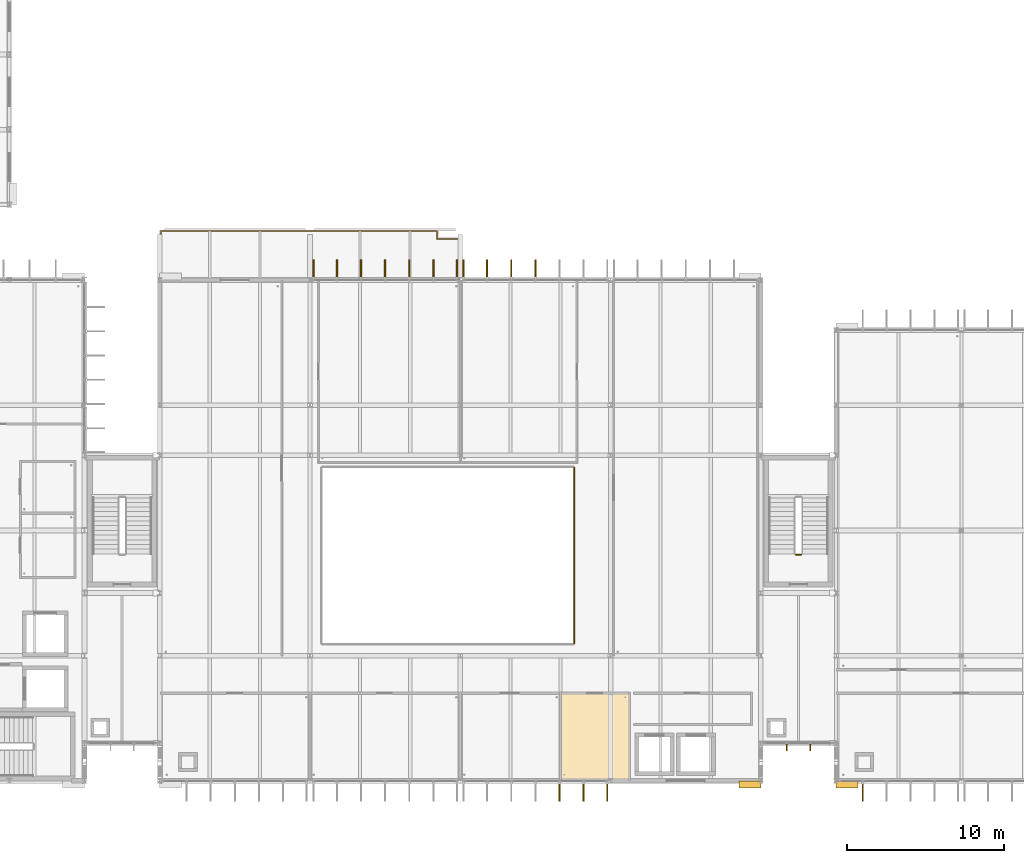
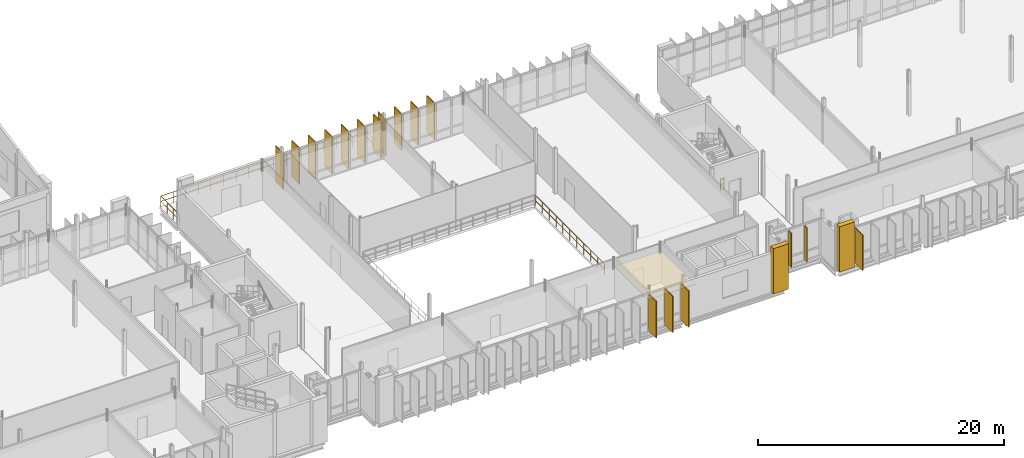
# One storey, part 88 of 93: 18 coverings, 3 railings, 2 shading devices.
"""IFC4 building model written with IfcOpenShell, lengths in metres."""

from ifc_helpers import new_model, si_unit, direction, frame, origin, origin_2d, place, context, subcontext, project, spatial, polyline, rectangle, circle, outline, extrude, material, layer, layer_set, type_object, element, save


model = new_model("IFC4")

# Units and contexts
model_context = context("Model", 3, precision=1e-05, world=origin(), true_north=direction((0.0, 1.0)))
body_context = subcontext(model_context, "Body", "Model", "MODEL_VIEW")
ifc_project = project(units=[si_unit("LENGTHUNIT", "METRE"), si_unit("AREAUNIT", "SQUARE_METRE"), si_unit("VOLUMEUNIT", "CUBIC_METRE"), si_unit("PLANEANGLEUNIT", "RADIAN"), si_unit("MASSUNIT", "GRAM", prefix="KILO")], contexts=[model_context])

# Site, building, storey
site_placement = place(None, origin())
site = spatial("IfcSite", under=ifc_project, at=site_placement, CompositionType="ELEMENT")
building_placement = place(site_placement, origin())
building = spatial("IfcBuilding", under=site, at=building_placement, Name="Dunescarp Central Library", CompositionType="ELEMENT")
storey_placement = place(building_placement, frame((0.0, 0.0, 14.10009765625)))
storey = spatial("IfcBuildingStorey", under=building, at=storey_placement, Name="L03", CompositionType="ELEMENT", Elevation=14.10009765625)

# Coverings
ifc_material_1 = material(Name="Mineral-fibre acoustic ceiling tile")
ifc_layer_1 = layer(ifc_material_1, 0.0400390625)
ifc_layer_set_1 = layer_set([ifc_layer_1], Name="Mineral-fibre acoustic ceiling tile")
covering_type_1 = type_object("IfcCoveringType", Name="ARC-COV-CEIL40", PredefinedType="CEILING", material=ifc_layer_set_1)
covering_1_placement = place(storey_placement, frame((0.0, 0.0, 3.0498046875)))
element("IfcCovering", 1, at=covering_1_placement, inside=storey, type_object=covering_type_1, Name="L03 ceiling Wing Washrooms & WC", PredefinedType="CEILING", context=body_context, shape_type="SweptSolid", body=[
    extrude(outline(polyline([(63.97998046875, 4.919921875), (68.419921875, 4.919921875), (68.419921875, 10.419921875), (63.97998046875, 10.419921875), (63.97998046875, 4.919921875)])), origin(), (0.0, 0.0, 1.0), 0.0400390625),
])
ifc_material_2 = material(Name="Glass-fibre reinforced concrete GRC", Category="concrete")
ifc_layer_2 = layer(ifc_material_2, 0.090087890625)
ifc_layer_set_2 = layer_set([ifc_layer_2], Name="Glass-fibre reinforced concrete GRC")
covering_type_2 = type_object("IfcCoveringType", Name="ARC-COV-FIN1250", PredefinedType="CLADDING", material=ifc_layer_set_2)
covering_2_placement = place(storey_placement, frame((66.985107421875, 4.137939453125, 0.16748046875), z_axis=(0.0, 0.0, 1.0), x_axis=(0.0, -1.0, 0.0)))
element("IfcCovering", 2, at=covering_2_placement, inside=storey, type_object=covering_type_2, Name="L03 parametric vertical facade fin FIN-L03-0437", PredefinedType="CLADDING", context=body_context, shape_type="SweptSolid", body=[
    extrude(rectangle(XDim=1.25, YDim=0.090087890625, at=origin_2d()), origin(), (0.0, 0.0, 1.0), 3.614990234375),
])
covering_3_placement = place(storey_placement, frame((65.48291015625, 4.137939453125, 0.179931640625), z_axis=(0.0, 0.0, 1.0), x_axis=(0.0, -1.0, 0.0)))
element("IfcCovering", 3, at=covering_3_placement, inside=storey, type_object=covering_type_2, Name="L03 parametric vertical facade fin FIN-L03-0438", PredefinedType="CLADDING", context=body_context, shape_type="SweptSolid", body=[
    extrude(rectangle(XDim=1.25, YDim=0.090087890625, at=origin_2d()), origin(), (0.0, 0.0, 1.0), 3.60205078125),
])
covering_4_placement = place(storey_placement, frame((63.94189453125, 4.137939453125, 0.1640625), z_axis=(0.0, 0.0, 1.0), x_axis=(0.0, -1.0, 0.0)))
element("IfcCovering", 4, at=covering_4_placement, inside=storey, type_object=covering_type_2, Name="L03 parametric vertical facade fin FIN-L03-0439", PredefinedType="CLADDING", context=body_context, shape_type="SweptSolid", body=[
    extrude(rectangle(XDim=1.25, YDim=0.090087890625, at=origin_2d()), origin(), (0.0, 0.0, 1.0), 3.617919921875),
])
covering_5_placement = place(storey_placement, frame((48.215087890625, 37.4619140625, 0.16748046875), z_axis=(0.0, 0.0, 1.0), x_axis=(0.0, 1.0, 0.0)))
element("IfcCovering", 5, at=covering_5_placement, inside=storey, type_object=covering_type_2, Name="L03 parametric vertical facade fin FIN-L03-0444", PredefinedType="CLADDING", context=body_context, shape_type="SweptSolid", body=[
    extrude(rectangle(XDim=1.25, YDim=0.090087890625, at=origin_2d()), origin(), (0.0, 0.0, 1.0), 3.614990234375),
])
covering_6_placement = place(storey_placement, frame((49.717041015625, 37.4619140625, 0.179931640625), z_axis=(0.0, 0.0, 1.0), x_axis=(0.0, 1.0, 0.0)))
element("IfcCovering", 6, at=covering_6_placement, inside=storey, type_object=covering_type_2, Name="L03 parametric vertical facade fin FIN-L03-0445", PredefinedType="CLADDING", context=body_context, shape_type="SweptSolid", body=[
    extrude(rectangle(XDim=1.25, YDim=0.090087890625, at=origin_2d()), origin(), (0.0, 0.0, 1.0), 3.60205078125),
])
covering_7_placement = place(storey_placement, frame((51.258056640625, 37.4619140625, 0.1640625), z_axis=(0.0, 0.0, 1.0), x_axis=(0.0, 1.0, 0.0)))
element("IfcCovering", 7, at=covering_7_placement, inside=storey, type_object=covering_type_2, Name="L03 parametric vertical facade fin FIN-L03-0446", PredefinedType="CLADDING", context=body_context, shape_type="SweptSolid", body=[
    extrude(rectangle(XDim=1.25, YDim=0.090087890625, at=origin_2d()), origin(), (0.0, 0.0, 1.0), 3.617919921875),
])
covering_8_placement = place(storey_placement, frame((52.800048828125, 37.4619140625, 0.12353515625), z_axis=(0.0, 0.0, 1.0), x_axis=(0.0, 1.0, 0.0)))
element("IfcCovering", 8, at=covering_8_placement, inside=storey, type_object=covering_type_2, Name="L03 parametric vertical facade fin FIN-L03-0447", PredefinedType="CLADDING", context=body_context, shape_type="SweptSolid", body=[
    extrude(rectangle(XDim=1.25, YDim=0.090087890625, at=origin_2d()), origin(), (0.0, 0.0, 1.0), 3.658935546875),
])
covering_9_placement = place(storey_placement, frame((54.342041015625, 37.4619140625, 0.080322265625), z_axis=(0.0, 0.0, 1.0), x_axis=(0.0, 1.0, 0.0)))
element("IfcCovering", 9, at=covering_9_placement, inside=storey, type_object=covering_type_2, Name="L03 parametric vertical facade fin FIN-L03-0448", PredefinedType="CLADDING", context=body_context, shape_type="SweptSolid", body=[
    extrude(rectangle(XDim=1.25, YDim=0.090087890625, at=origin_2d()), origin(), (0.0, 0.0, 1.0), 3.69091796875),
])
covering_10_placement = place(storey_placement, frame((55.883056640625, 37.4619140625, 0.080322265625), z_axis=(0.0, 0.0, 1.0), x_axis=(0.0, 1.0, 0.0)))
element("IfcCovering", 10, at=covering_10_placement, inside=storey, type_object=covering_type_2, Name="L03 parametric vertical facade fin FIN-L03-0449", PredefinedType="CLADDING", context=body_context, shape_type="SweptSolid", body=[
    extrude(rectangle(XDim=1.25, YDim=0.090087890625, at=origin_2d()), origin(), (0.0, 0.0, 1.0), 3.64111328125),
])
covering_11_placement = place(storey_placement, frame((57.385009765625, 37.4619140625, 0.079833984375), z_axis=(0.0, 0.0, 1.0), x_axis=(0.0, 1.0, 0.0)))
element("IfcCovering", 11, at=covering_11_placement, inside=storey, type_object=covering_type_2, Name="L03 parametric vertical facade fin FIN-L03-0450", PredefinedType="CLADDING", context=body_context, shape_type="SweptSolid", body=[
    extrude(rectangle(XDim=1.25, YDim=0.090087890625, at=origin_2d()), origin(), (0.0, 0.0, 1.0), 3.60791015625),
])
covering_12_placement = place(storey_placement, frame((57.81494140625, 37.4619140625, 0.16748046875), z_axis=(0.0, 0.0, 1.0), x_axis=(0.0, 1.0, 0.0)))
element("IfcCovering", 12, at=covering_12_placement, inside=storey, type_object=covering_type_2, Name="L03 parametric vertical facade fin FIN-L03-0451", PredefinedType="CLADDING", context=body_context, shape_type="SweptSolid", body=[
    extrude(rectangle(XDim=1.25, YDim=0.090087890625, at=origin_2d()), origin(), (0.0, 0.0, 1.0), 3.614990234375),
])
covering_13_placement = place(storey_placement, frame((59.31689453125, 37.4619140625, 0.179931640625), z_axis=(0.0, 0.0, 1.0), x_axis=(0.0, 1.0, 0.0)))
element("IfcCovering", 13, at=covering_13_placement, inside=storey, type_object=covering_type_2, Name="L03 parametric vertical facade fin FIN-L03-0452", PredefinedType="CLADDING", context=body_context, shape_type="SweptSolid", body=[
    extrude(rectangle(XDim=1.25, YDim=0.090087890625, at=origin_2d()), origin(), (0.0, 0.0, 1.0), 3.60205078125),
])
covering_14_placement = place(storey_placement, frame((60.85791015625, 37.4619140625, 0.1640625), z_axis=(0.0, 0.0, 1.0), x_axis=(0.0, 1.0, 0.0)))
element("IfcCovering", 14, at=covering_14_placement, inside=storey, type_object=covering_type_2, Name="L03 parametric vertical facade fin FIN-L03-0453", PredefinedType="CLADDING", context=body_context, shape_type="SweptSolid", body=[
    extrude(rectangle(XDim=1.25, YDim=0.090087890625, at=origin_2d()), origin(), (0.0, 0.0, 1.0), 3.617919921875),
])
covering_15_placement = place(storey_placement, frame((62.39990234375, 37.4619140625, 0.12353515625), z_axis=(0.0, 0.0, 1.0), x_axis=(0.0, 1.0, 0.0)))
element("IfcCovering", 15, at=covering_15_placement, inside=storey, type_object=covering_type_2, Name="L03 parametric vertical facade fin FIN-L03-0454", PredefinedType="CLADDING", context=body_context, shape_type="SweptSolid", body=[
    extrude(rectangle(XDim=1.25, YDim=0.090087890625, at=origin_2d()), origin(), (0.0, 0.0, 1.0), 3.658935546875),
])
covering_16_placement = place(storey_placement, frame((83.304931640625, 4.137939453125, 0.079833984375), z_axis=(0.0, 0.0, 1.0), x_axis=(0.0, -1.0, 0.0)))
element("IfcCovering", 16, at=covering_16_placement, inside=storey, type_object=covering_type_2, Name="L03 parametric vertical facade fin FIN-L03-0668", PredefinedType="CLADDING", context=body_context, shape_type="SweptSolid", body=[
    extrude(rectangle(XDim=1.25, YDim=0.090087890625, at=origin_2d()), origin(), (0.0, 0.0, 1.0), 3.50390625),
])
ifc_layer_3 = layer(ifc_material_2, 0.449951171875)
ifc_layer_set_3 = layer_set([ifc_layer_3], Name="Glass-fibre reinforced concrete GRC")
covering_type_3 = type_object("IfcCoveringType", Name="ARC-COV-PORTAL", PredefinedType="CLADDING", material=ifc_layer_set_3)
for number, where, z_axis, x_axis, name in (
    (17, (76.10009765625, 4.580078125, 0.0), (0.0, 0.0, 1.0), (1.0, 0.0, 0.0), "V2 sculpted GRC portal pier PRT-BAND-V2-015"),
    (18, (82.300048828125, 4.580078125, 0.0), (0.0, 0.0, 1.0), (1.0, 0.0, 0.0), "V3 sculpted GRC portal pier PRT-BAND-V3-039"),
):
    element("IfcCovering", number, at=place(storey_placement, frame(where, z_axis=z_axis, x_axis=x_axis)), inside=storey, type_object=covering_type_3, Name=name, PredefinedType="CLADDING", context=body_context, shape_type="SweptSolid", body=[
        extrude(rectangle(XDim=1.39990234375, YDim=0.449951171875, at=origin_2d()), origin(), (0.0, 0.0, 1.0), 4.5),
    ])

# Railings
ifc_material_3 = material(Name="Stainless steel Grade 316L", Category="steel")
railing_type_1 = type_object("IfcRailingType", Name="ARC-RL-BAL", PredefinedType="BALUSTRADE", material=ifc_material_3)
railing_1_placement = place(storey_placement, frame((38.47998046875, 36.8798828125, 0.0)))
element("IfcRailing", 19, at=railing_1_placement, inside=storey, type_object=railing_type_1, Name="L03 terrace balustrade TER-L03-V2N", PredefinedType="BALUSTRADE", context=body_context, shape_type="SweptSolid", body=[
    extrude(circle(Radius=0.02392578125, at=origin_2d()), frame((0.0, 0.0, 1.076171875), z_axis=(0.0, 1.0, 0.0), x_axis=(-1.0, 0.0, 0.0)), (0.0, 0.0, 1.0), 3.0400390625),
    extrude(circle(Radius=0.02392578125, at=origin_2d()), frame((0.0, 0.0, 0.550048828125), z_axis=(0.0, 1.0, 0.0), x_axis=(-1.0, 0.0, 0.0)), (0.0, 0.0, 1.0), 3.0400390625),
    extrude(circle(Radius=0.02392578125, at=origin_2d()), frame((0.0, 3.0400390625, 1.076171875), z_axis=(1.0, 0.0, 0.0), x_axis=(0.0, 1.0, 0.0)), (0.0, 0.0, 1.0), 17.64013671875),
    extrude(circle(Radius=0.02392578125, at=origin_2d()), frame((0.0, 3.0400390625, 0.550048828125), z_axis=(1.0, 0.0, 0.0), x_axis=(0.0, 1.0, 0.0)), (0.0, 0.0, 1.0), 17.64013671875),
    extrude(circle(Radius=0.02392578125, at=origin_2d()), frame((17.64013671875, 3.0400390625, 1.076171875), z_axis=(0.0, -1.0, 0.0), x_axis=(1.0, 0.0, 0.0)), (0.0, 0.0, 1.0), 0.5),
    extrude(circle(Radius=0.02392578125, at=origin_2d()), frame((17.64013671875, 3.0400390625, 0.550048828125), z_axis=(0.0, -1.0, 0.0), x_axis=(1.0, 0.0, 0.0)), (0.0, 0.0, 1.0), 0.5),
    extrude(circle(Radius=0.02392578125, at=origin_2d()), frame((17.64013671875, 2.5400390625, 1.076171875), z_axis=(1.0, 0.0, 0.0), x_axis=(0.0, 1.0, 0.0)), (0.0, 0.0, 1.0), 1.39990234375),
    extrude(circle(Radius=0.02392578125, at=origin_2d()), frame((17.64013671875, 2.5400390625, 0.550048828125), z_axis=(1.0, 0.0, 0.0), x_axis=(0.0, 1.0, 0.0)), (0.0, 0.0, 1.0), 1.39990234375),
    extrude(circle(Radius=0.02392578125, at=origin_2d()), frame((19.0400390625, 2.5400390625, 1.076171875), z_axis=(0.0, -1.0, 0.0), x_axis=(1.0, 0.0, 0.0)), (0.0, 0.0, 1.0), 2.5400390625),
    extrude(circle(Radius=0.02392578125, at=origin_2d()), frame((19.0400390625, 2.5400390625, 0.550048828125), z_axis=(0.0, -1.0, 0.0), x_axis=(1.0, 0.0, 0.0)), (0.0, 0.0, 1.0), 2.5400390625),
    extrude(circle(Radius=0.02099609375, at=origin_2d()), origin(), (0.0, 0.0, 1.0), 1.052001953125),
    extrude(circle(Radius=0.02099609375, at=origin_2d()), frame((0.0, 1.013427734375, 0.0)), (0.0, 0.0, 1.0), 1.052001953125),
    extrude(circle(Radius=0.02099609375, at=origin_2d()), frame((0.0, 2.026611328125, 0.0)), (0.0, 0.0, 1.0), 1.052001953125),
    extrude(circle(Radius=0.02099609375, at=origin_2d()), frame((0.0, 3.0400390625, 0.0)), (0.0, 0.0, 1.0), 1.052001953125),
    extrude(circle(Radius=0.02099609375, at=origin_2d()), frame((1.176025390625, 3.0400390625, 0.0)), (0.0, 0.0, 1.0), 1.052001953125),
    extrude(circle(Radius=0.02099609375, at=origin_2d()), frame((2.35205078125, 3.0400390625, 0.0)), (0.0, 0.0, 1.0), 1.052001953125),
    extrude(circle(Radius=0.02099609375, at=origin_2d()), frame((3.528076171875, 3.0400390625, 0.0)), (0.0, 0.0, 1.0), 1.052001953125),
    extrude(circle(Radius=0.02099609375, at=origin_2d()), frame((4.7041015625, 3.0400390625, 0.0)), (0.0, 0.0, 1.0), 1.052001953125),
    extrude(circle(Radius=0.02099609375, at=origin_2d()), frame((5.880126953125, 3.0400390625, 0.0)), (0.0, 0.0, 1.0), 1.052001953125),
    extrude(circle(Radius=0.02099609375, at=origin_2d()), frame((7.05615234375, 3.0400390625, 0.0)), (0.0, 0.0, 1.0), 1.052001953125),
    extrude(circle(Radius=0.02099609375, at=origin_2d()), frame((8.232177734375, 3.0400390625, 0.0)), (0.0, 0.0, 1.0), 1.052001953125),
    extrude(circle(Radius=0.02099609375, at=origin_2d()), frame((9.407958984375, 3.0400390625, 0.0)), (0.0, 0.0, 1.0), 1.052001953125),
    extrude(circle(Radius=0.02099609375, at=origin_2d()), frame((10.583984375, 3.0400390625, 0.0)), (0.0, 0.0, 1.0), 1.052001953125),
    extrude(circle(Radius=0.02099609375, at=origin_2d()), frame((11.760009765625, 3.0400390625, 0.0)), (0.0, 0.0, 1.0), 1.052001953125),
    extrude(circle(Radius=0.02099609375, at=origin_2d()), frame((12.93603515625, 3.0400390625, 0.0)), (0.0, 0.0, 1.0), 1.052001953125),
    extrude(circle(Radius=0.02099609375, at=origin_2d()), frame((14.112060546875, 3.0400390625, 0.0)), (0.0, 0.0, 1.0), 1.052001953125),
    extrude(circle(Radius=0.02099609375, at=origin_2d()), frame((15.2880859375, 3.0400390625, 0.0)), (0.0, 0.0, 1.0), 1.052001953125),
    extrude(circle(Radius=0.02099609375, at=origin_2d()), frame((16.464111328125, 3.0400390625, 0.0)), (0.0, 0.0, 1.0), 1.052001953125),
    extrude(circle(Radius=0.02099609375, at=origin_2d()), frame((17.64013671875, 3.0400390625, 0.0)), (0.0, 0.0, 1.0), 1.052001953125),
    extrude(circle(Radius=0.02099609375, at=origin_2d()), frame((17.64013671875, 2.5400390625, 0.0)), (0.0, 0.0, 1.0), 1.052001953125),
    extrude(circle(Radius=0.02099609375, at=origin_2d()), frame((18.340087890625, 2.5400390625, 0.0)), (0.0, 0.0, 1.0), 1.052001953125),
    extrude(circle(Radius=0.02099609375, at=origin_2d()), frame((19.0400390625, 2.5400390625, 0.0)), (0.0, 0.0, 1.0), 1.052001953125),
    extrude(circle(Radius=0.02099609375, at=origin_2d()), frame((19.0400390625, 1.693359375, 0.0)), (0.0, 0.0, 1.0), 1.052001953125),
    extrude(circle(Radius=0.02099609375, at=origin_2d()), frame((19.0400390625, 0.8466796875, 0.0)), (0.0, 0.0, 1.0), 1.052001953125),
    extrude(circle(Radius=0.02099609375, at=origin_2d()), frame((19.0400390625, 0.0, 0.0)), (0.0, 0.0, 1.0), 1.052001953125),
])
railing_type_2 = type_object("IfcRailingType", Name="ARC-RL-GUARD", PredefinedType="GUARDRAIL", material=ifc_material_3)
railing_2_placement = place(storey_placement, frame((79.3798828125, 19.25, 0.0)))
element("IfcRailing", 20, at=railing_2_placement, inside=storey, type_object=railing_type_2, Name="L03 ST-3 stair guard 4", PredefinedType="GUARDRAIL", context=body_context, shape_type="SweptSolid", body=[
    extrude(circle(Radius=0.02392578125, at=origin_2d()), frame((0.0, 0.0, 1.076171875), z_axis=(-1.0, 0.0, 0.0), x_axis=(0.0, -1.0, 0.0)), (0.0, 0.0, 1.0), 0.35986328125),
    extrude(circle(Radius=0.02392578125, at=origin_2d()), frame((0.0, 0.0, 0.550048828125), z_axis=(-1.0, 0.0, 0.0), x_axis=(0.0, -1.0, 0.0)), (0.0, 0.0, 1.0), 0.35986328125),
    extrude(circle(Radius=0.02099609375, at=origin_2d()), origin(), (0.0, 0.0, 1.0), 1.052001953125),
    extrude(circle(Radius=0.02099609375, at=origin_2d()), frame((-0.35986328125, 0.0, 0.0)), (0.0, 0.0, 1.0), 1.052001953125),
])
railing_3_placement = place(storey_placement, frame((64.8798828125, 13.580078125, 0.0)))
element("IfcRailing", 21, at=railing_3_placement, inside=storey, type_object=railing_type_2, Name="L03 void guardrail GRD-ATR-L03-E", PredefinedType="GUARDRAIL", context=body_context, shape_type="SweptSolid", body=[
    extrude(circle(Radius=0.02392578125, at=origin_2d()), frame((0.0, 0.0, 1.076171875), z_axis=(0.0, 1.0, 0.0), x_axis=(-1.0, 0.0, 0.0)), (0.0, 0.0, 1.0), 11.239990234375),
    extrude(circle(Radius=0.02392578125, at=origin_2d()), frame((0.0, 0.0, 0.550048828125), z_axis=(0.0, 1.0, 0.0), x_axis=(-1.0, 0.0, 0.0)), (0.0, 0.0, 1.0), 11.239990234375),
    extrude(circle(Radius=0.02099609375, at=origin_2d()), origin(), (0.0, 0.0, 1.0), 1.052001953125),
    extrude(circle(Radius=0.02099609375, at=origin_2d()), frame((0.0, 1.1240234375, 0.0)), (0.0, 0.0, 1.0), 1.052001953125),
    extrude(circle(Radius=0.02099609375, at=origin_2d()), frame((0.0, 2.248046875, 0.0)), (0.0, 0.0, 1.0), 1.052001953125),
    extrude(circle(Radius=0.02099609375, at=origin_2d()), frame((0.0, 3.3720703125, 0.0)), (0.0, 0.0, 1.0), 1.052001953125),
    extrude(circle(Radius=0.02099609375, at=origin_2d()), frame((0.0, 4.49609375, 0.0)), (0.0, 0.0, 1.0), 1.052001953125),
    extrude(circle(Radius=0.02099609375, at=origin_2d()), frame((0.0, 5.6201171875, 0.0)), (0.0, 0.0, 1.0), 1.052001953125),
    extrude(circle(Radius=0.02099609375, at=origin_2d()), frame((0.0, 6.743896484375, 0.0)), (0.0, 0.0, 1.0), 1.052001953125),
    extrude(circle(Radius=0.02099609375, at=origin_2d()), frame((0.0, 7.867919921875, 0.0)), (0.0, 0.0, 1.0), 1.052001953125),
    extrude(circle(Radius=0.02099609375, at=origin_2d()), frame((0.0, 8.991943359375, 0.0)), (0.0, 0.0, 1.0), 1.052001953125),
    extrude(circle(Radius=0.02099609375, at=origin_2d()), frame((0.0, 10.115966796875, 0.0)), (0.0, 0.0, 1.0), 1.052001953125),
    extrude(circle(Radius=0.02099609375, at=origin_2d()), frame((0.0, 11.239990234375, 0.0)), (0.0, 0.0, 1.0), 1.052001953125),
])

# Shading devices
ifc_material_4 = material(Name="Marine-grade anodised aluminium 6063-T6", Category="aluminium")
ifc_layer_4 = layer(ifc_material_4, 0.06005859375)
ifc_layer_set_4 = layer_set([ifc_layer_4], Name="Marine-grade anodised aluminium 6063-T6")
shading_device_type = type_object("IfcShadingDeviceType", Name="ARC-SHD-FIN", PredefinedType="USERDEFINED", material=ifc_layer_set_4)
for number, where, z_axis, x_axis, name in (
    (22, (79.94189453125, 6.93896484375, 0.14990234375), (0.0, 0.0, 1.0), (0.0, -1.0, 0.0), "L03 link sunshade fin SHDF-L03-1108"),
    (23, (78.4580078125, 6.93896484375, 0.14990234375), (0.0, 0.0, 1.0), (0.0, -1.0, 0.0), "L03 link sunshade fin SHDF-L03-1109"),
):
    element("IfcShadingDevice", number, at=place(storey_placement, frame(where, z_axis=z_axis, x_axis=x_axis)), inside=storey, type_object=shading_device_type, Name=name, ObjectType="FIN", PredefinedType="USERDEFINED", context=body_context, shape_type="SweptSolid", body=[
        extrude(rectangle(XDim=0.449951171875, YDim=0.06005859375, at=origin_2d()), origin(), (0.0, 0.0, 1.0), 3.385986328125),
    ])

save(model, "model.ifc")
